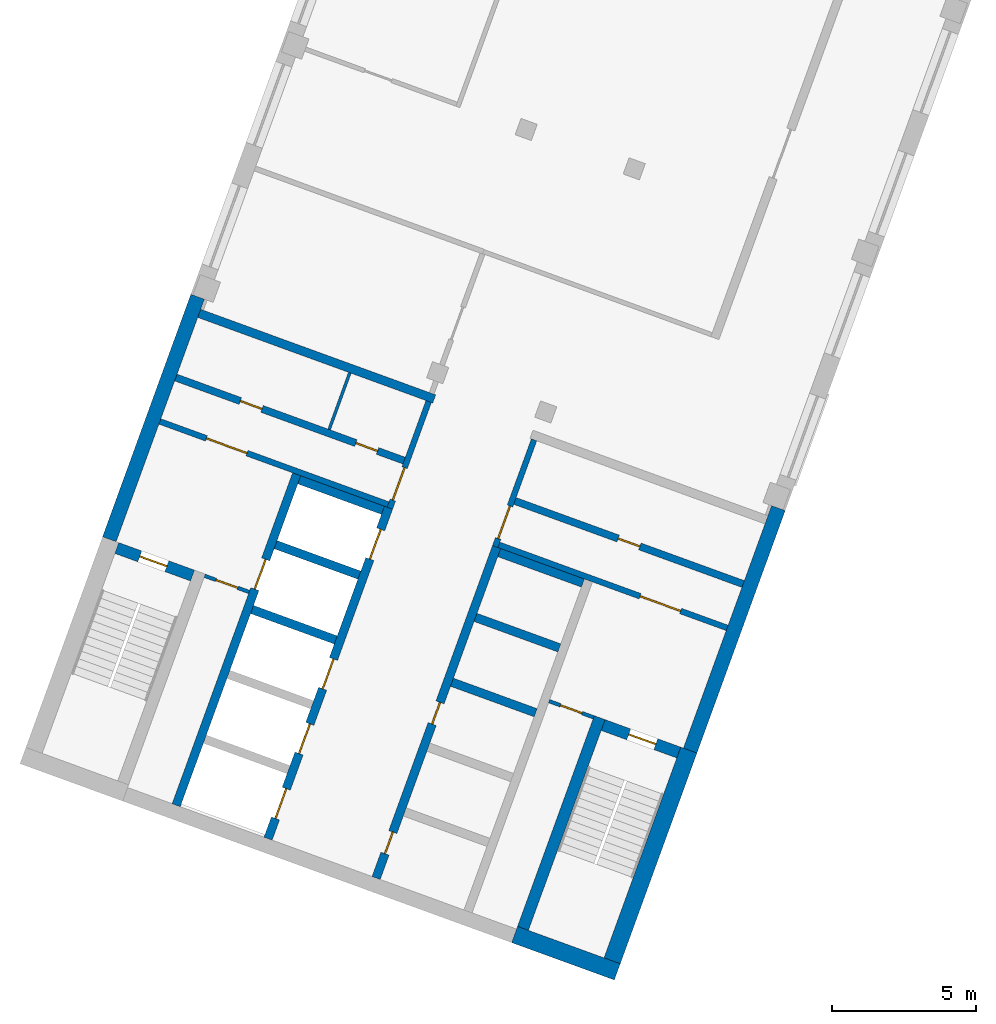
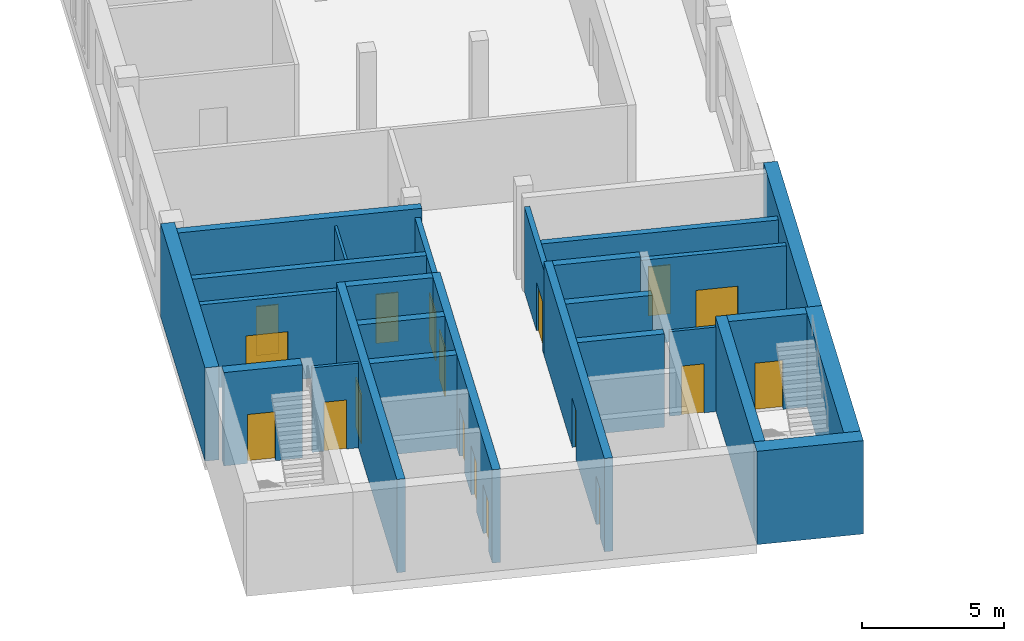
# One storey, part 2 of 8: 26 walls, 18 doors, 18 openings.
"""IFC4 building model written with IfcOpenShell, lengths in metres."""

from ifc_helpers import new_model, si_unit, direction, frame, frame_2d, origin, place, context, subcontext, project, spatial, rectangle, extrude, material, layer, layer_set, type_object, element, fill, save


model = new_model("IFC4")

# Units and contexts
model_context = context("Model", 3, precision=1e-05, world=origin(), true_north=direction((0.0, 1.0)))
body_context = subcontext(model_context, "Body", "Model", "MODEL_VIEW")
ifc_project = project(units=[si_unit("LENGTHUNIT", "METRE"), si_unit("AREAUNIT", "SQUARE_METRE"), si_unit("VOLUMEUNIT", "CUBIC_METRE"), si_unit("PLANEANGLEUNIT", "RADIAN"), si_unit("MASSUNIT", "GRAM", prefix="KILO")], contexts=[model_context])

# Site, building, storey
site_placement = place(None, origin())
site = spatial("IfcSite", under=ifc_project, at=site_placement, CompositionType="ELEMENT")
building_placement = place(site_placement, origin())
building = spatial("IfcBuilding", under=site, at=building_placement, Name="Skarvind Civic Tower", CompositionType="ELEMENT")
storey_placement = place(building_placement, frame((0.0, 0.0, 224.0)))
storey = spatial("IfcBuildingStorey", under=building, at=storey_placement, Name="L53", CompositionType="ELEMENT", Elevation=224.0)

# Wall, opening, door
ifc_material_1 = material(Name="Fire-rated masonry partition", Category="masonry")
ifc_layer_1 = layer(ifc_material_1, 0.199951171875)
ifc_layer_set_1 = layer_set([ifc_layer_1], Name="Core enclosure wall 200")
wall_type_1 = type_object("IfcWallType", Name="Core enclosure wall 200", PredefinedType="PARTITIONING", material=ifc_layer_set_1)
wall_1_placement = place(storey_placement, frame((31.42724609375, 93.663330078125, 0.0), z_axis=(0.0, 0.0, 1.0), x_axis=(0.342030870568, 0.93968871632, 0.0)))
wall_1 = element("IfcWall", 1, at=wall_1_placement, inside=storey, type_object=wall_type_1, Name="Core wall C2", PredefinedType="PARTITIONING", context=body_context, shape_type="SweptSolid", body=[
    extrude(rectangle(XDim=3.9501953125, YDim=0.199951171875, at=frame_2d((1.97509765625, 0.0))), origin(), (0.0, 0.0, 1.0), 3.625),
])
opening_1_placement = place(wall_1_placement, frame((0.300048828125, 0.0, 0.0)))
opening_1 = element("IfcOpeningElement", 2, at=opening_1_placement, cuts=wall_1, Name="Opening D-L53-C2-07", PredefinedType="OPENING", context=body_context, shape_type="SweptSolid", body=[
    extrude(rectangle(XDim=1.199951171875, YDim=2.10009765625, at=frame_2d((0.60009765625, 1.050048828125))), frame((0.0, 0.10986328125, 0.0), z_axis=(0.0, -1.0, 0.0), x_axis=(1.0, 0.0, 0.0)), (0.0, 0.0, 1.0), 0.219970703125),
])
ifc_material_2 = material(Name="Fire-rated steel door", Category="steel")
door_type_1 = type_object("IfcDoorType", Name="Core lobby door 1200", OperationType="NOTDEFINED", PredefinedType="DOOR", material=ifc_material_2)
door_1_placement = place(opening_1_placement, origin())
door_1 = element("IfcDoor", 3, at=door_1_placement, inside=storey, type_object=door_type_1, Name="Fire door", OperationType="DOUBLE_DOOR_SINGLE_SWING", OverallHeight=2.10009765625, OverallWidth=1.199951171875, PredefinedType="DOOR", context=body_context, shape_type="SweptSolid", body=[
    extrude(rectangle(XDim=1.199951171875, YDim=2.10009765625, at=frame_2d((0.60009765625, 1.050048828125))), frame((0.0, 0.02490234375, 0.0), z_axis=(0.0, -1.0, 0.0), x_axis=(1.0, 0.0, 0.0)), (0.0, 0.0, 1.0), 0.050048828125),
])
fill(opening_1, door_1)

wall_2_placement = place(storey_placement, frame((23.42724609375, 96.681640625, 0.0), z_axis=(0.0, 0.0, 1.0), x_axis=(0.939690465531, -0.342026064782, 0.0)))
wall_2 = element("IfcWall", 4, at=wall_2_placement, inside=storey, type_object=wall_type_1, Name="Core wall C2", PredefinedType="PARTITIONING", context=body_context, shape_type="SweptSolid", body=[
    extrude(rectangle(XDim=8.449951171875, YDim=0.199951171875, at=frame_2d((4.22509765625, 0.0))), origin(), (0.0, 0.0, 1.0), 3.625),
])
opening_2_placement = place(wall_2_placement, frame((1.72509765625, 0.0, 0.0)))
opening_2 = element("IfcOpeningElement", 5, at=opening_2_placement, cuts=wall_2, Name="Opening D-L53-C2-08", PredefinedType="OPENING", context=body_context, shape_type="SweptSolid", body=[
    extrude(rectangle(XDim=1.5, YDim=2.10009765625, at=frame_2d((0.75, 1.050048828125))), frame((0.0, 0.10986328125, 0.0), z_axis=(0.0, -1.0, 0.0), x_axis=(1.0, 0.0, 0.0)), (0.0, 0.0, 1.0), 0.219970703125),
])
door_type_2 = type_object("IfcDoorType", Name="Fire door 1500", OperationType="NOTDEFINED", PredefinedType="DOOR", material=ifc_material_2)
door_2_placement = place(opening_2_placement, origin())
door_2 = element("IfcDoor", 6, at=door_2_placement, inside=storey, type_object=door_type_2, Name="Fire door", OperationType="DOUBLE_DOOR_SINGLE_SWING", OverallHeight=2.10009765625, OverallWidth=1.5, PredefinedType="DOOR", context=body_context, shape_type="SweptSolid", body=[
    extrude(rectangle(XDim=1.5, YDim=2.10009765625, at=frame_2d((0.75, 1.050048828125))), frame((0.0, 0.02490234375, 0.0), z_axis=(0.0, -1.0, 0.0), x_axis=(1.0, 0.0, 0.0)), (0.0, 0.0, 1.0), 0.050048828125),
])
fill(opening_2, door_2)

wall_3_placement = place(storey_placement, frame((36.443115234375, 96.041259765625, 0.0), z_axis=(0.0, 0.0, 1.0), x_axis=(-0.341996156931, -0.939701350773, 0.0)))
wall_3 = element("IfcWall", 7, at=wall_3_placement, inside=storey, type_object=wall_type_1, Name="Core wall C2", PredefinedType="PARTITIONING", context=body_context, shape_type="SweptSolid", body=[
    extrude(rectangle(XDim=3.949951171875, YDim=0.199951171875, at=frame_2d((1.97509765625, 0.0))), origin(), (0.0, 0.0, 1.0), 3.625),
])
opening_3_placement = place(wall_3_placement, frame((2.449951171875, 0.0, 0.0)))
opening_3 = element("IfcOpeningElement", 8, at=opening_3_placement, cuts=wall_3, Name="Opening D-L53-C2-13", PredefinedType="OPENING", context=body_context, shape_type="SweptSolid", body=[
    extrude(rectangle(XDim=1.199951171875, YDim=2.10009765625, at=frame_2d((0.60009765625, 1.050048828125))), frame((0.0, 0.10986328125, 0.0), z_axis=(0.0, -1.0, 0.0), x_axis=(1.0, 0.0, 0.0)), (0.0, 0.0, 1.0), 0.219970703125),
])
door_3_placement = place(opening_3_placement, origin())
door_3 = element("IfcDoor", 9, at=door_3_placement, inside=storey, type_object=door_type_1, Name="Fire door", OperationType="DOUBLE_DOOR_SINGLE_SWING", OverallHeight=2.10009765625, OverallWidth=1.199951171875, PredefinedType="DOOR", context=body_context, shape_type="SweptSolid", body=[
    extrude(rectangle(XDim=1.199951171875, YDim=2.10009765625, at=frame_2d((0.60009765625, 1.050048828125))), frame((0.0, 0.02490234375, 0.0), z_axis=(0.0, -1.0, 0.0), x_axis=(1.0, 0.0, 0.0)), (0.0, 0.0, 1.0), 0.050048828125),
])
fill(opening_3, door_3)

wall_4_placement = place(storey_placement, frame((35.22021484375, 92.389404296875, 0.0), z_axis=(0.0, 0.0, 1.0), x_axis=(0.939690465531, -0.342026064782, 0.0)))
wall_4 = element("IfcWall", 10, at=wall_4_placement, inside=storey, type_object=wall_type_1, Name="Core wall C2", PredefinedType="PARTITIONING", context=body_context, shape_type="SweptSolid", body=[
    extrude(rectangle(XDim=8.449951171875, YDim=0.199951171875, at=frame_2d((4.22509765625, 0.0))), origin(), (0.0, 0.0, 1.0), 3.625),
])
opening_4_placement = place(wall_4_placement, frame((5.22509765625, 0.0, 0.0)))
opening_4 = element("IfcOpeningElement", 11, at=opening_4_placement, cuts=wall_4, Name="Opening D-L53-C2-14", PredefinedType="OPENING", context=body_context, shape_type="SweptSolid", body=[
    extrude(rectangle(XDim=1.5, YDim=2.10009765625, at=frame_2d((0.75, 1.050048828125))), frame((0.0, 0.10986328125, 0.0), z_axis=(0.0, -1.0, 0.0), x_axis=(1.0, 0.0, 0.0)), (0.0, 0.0, 1.0), 0.219970703125),
])
door_4_placement = place(opening_4_placement, origin())
door_4 = element("IfcDoor", 12, at=door_4_placement, inside=storey, type_object=door_type_2, Name="Fire door", OperationType="DOUBLE_DOOR_SINGLE_SWING", OverallHeight=2.10009765625, OverallWidth=1.5, PredefinedType="DOOR", context=body_context, shape_type="SweptSolid", body=[
    extrude(rectangle(XDim=1.5, YDim=2.10009765625, at=frame_2d((0.75, 1.050048828125))), frame((0.0, 0.02490234375, 0.0), z_axis=(0.0, -1.0, 0.0), x_axis=(1.0, 0.0, 0.0)), (0.0, 0.0, 1.0), 0.050048828125),
])
fill(opening_4, door_4)

# Wall
ifc_material_3 = material(Name="Fire-rated plasterboard partition")
ifc_layer_2 = layer(ifc_material_3, 0.10009765625)
ifc_layer_set_2 = layer_set([ifc_layer_2], Name="Core partition wall 100")
wall_type_2 = type_object("IfcWallType", Name="Core partition wall 100", PredefinedType="PARTITIONING", material=ifc_layer_set_2)
wall_5_placement = place(storey_placement, frame((29.316162109375, 96.400390625, 0.0), z_axis=(0.0, 0.0, 1.0), x_axis=(0.342023078919, 0.939691552312, 0.0)))
element("IfcWall", 13, at=wall_5_placement, inside=storey, type_object=wall_type_2, Name="Core wall C2", PredefinedType="PARTITIONING", context=body_context, shape_type="SweptSolid", body=[
    extrude(rectangle(XDim=2.10009765625, YDim=0.10009765625, at=frame_2d((1.050048828125, 0.0))), origin(), (0.0, 0.0, 1.0), 3.625),
])

# Wall, openings, doors
ifc_material_4 = material(Name="Concrete C60", Category="concrete")
ifc_layer_3 = layer(ifc_material_4, 0.300048828125)
ifc_layer_set_3 = layer_set([ifc_layer_3], Name="Core wall 300 C60")
wall_type_3 = type_object("IfcWallType", Name="Core wall 300 C60", PredefinedType="SHEAR", material=ifc_layer_set_3)
wall_6_placement = place(storey_placement, frame((30.949462890625, 80.80126953125, 0.0), z_axis=(0.0, 0.0, 1.0), x_axis=(0.342016684409, 0.939693879721, 0.0)))
wall_6 = element("IfcWall", 14, at=wall_6_placement, inside=storey, type_object=wall_type_3, Name="Core wall C2 south lift row front L53", PredefinedType="SHEAR", context=body_context, shape_type="SweptSolid", body=[
    extrude(rectangle(XDim=12.25, YDim=0.300048828125, at=frame_2d((6.125, 0.0))), origin(), (0.0, 0.0, 1.0), 4.0),
])
opening_5_placement = place(wall_6_placement, frame((0.89990234375, 0.0, 0.0)))
opening_5 = element("IfcOpeningElement", 15, at=opening_5_placement, cuts=wall_6, Name="Opening D-L53-C2-05", PredefinedType="OPENING", context=body_context, shape_type="SweptSolid", body=[
    extrude(rectangle(XDim=0.800048828125, YDim=2.10009765625, at=frame_2d((0.39990234375, 1.050048828125))), frame((0.0, 0.159912109375, 0.0), z_axis=(0.0, -1.0, 0.0), x_axis=(1.0, 0.0, 0.0)), (0.0, 0.0, 1.0), 0.320068359375),
])
opening_6_placement = place(wall_6_placement, frame((5.699951171875, 0.0, 0.0)))
opening_6 = element("IfcOpeningElement", 16, at=opening_6_placement, cuts=wall_6, Name="Opening D-L53-C2-06", PredefinedType="OPENING", context=body_context, shape_type="SweptSolid", body=[
    extrude(rectangle(XDim=0.800048828125, YDim=2.10009765625, at=frame_2d((0.39990234375, 1.050048828125))), frame((0.0, 0.159912109375, 0.0), z_axis=(0.0, -1.0, 0.0), x_axis=(1.0, 0.0, 0.0)), (0.0, 0.0, 1.0), 0.320068359375),
])
door_type_3 = type_object("IfcDoorType", Name="Core riser door 800", OperationType="NOTDEFINED", PredefinedType="DOOR", material=ifc_material_2)
door_5_placement = place(opening_5_placement, origin())
door_5 = element("IfcDoor", 17, at=door_5_placement, inside=storey, type_object=door_type_3, Name="Riser door", OperationType="SINGLE_SWING_LEFT", OverallHeight=2.10009765625, OverallWidth=0.800048828125, PredefinedType="DOOR", context=body_context, shape_type="SweptSolid", body=[
    extrude(rectangle(XDim=0.800048828125, YDim=2.10009765625, at=frame_2d((0.39990234375, 1.050048828125))), frame((0.0, 0.02490234375, 0.0), z_axis=(0.0, -1.0, 0.0), x_axis=(1.0, 0.0, 0.0)), (0.0, 0.0, 1.0), 0.050048828125),
])
fill(opening_5, door_5)
door_6_placement = place(opening_6_placement, origin())
door_6 = element("IfcDoor", 18, at=door_6_placement, inside=storey, type_object=door_type_3, Name="Riser door", OperationType="SINGLE_SWING_RIGHT", OverallHeight=2.10009765625, OverallWidth=0.800048828125, PredefinedType="DOOR", context=body_context, shape_type="SweptSolid", body=[
    extrude(rectangle(XDim=0.800048828125, YDim=2.10009765625, at=frame_2d((0.39990234375, 1.050048828125))), frame((0.0, 0.02490234375, 0.0), z_axis=(0.0, -1.0, 0.0), x_axis=(1.0, 0.0, 0.0)), (0.0, 0.0, 1.0), 0.050048828125),
])
fill(opening_6, door_6)

# Walls
for number, where, z_axis, x_axis, name in (
    (19, (36.500244140625, 86.54931640625, 0.0), (0.0, 0.0, 1.0), (-0.939689908313, 0.342027595692, 0.0), "Core wall C2 south lift row division 3 L53"),
    (20, (37.321044921875, 88.8046875, 0.0), (0.0, 0.0, 1.0), (-0.939689908313, 0.342027595692, 0.0), "Core wall C2 south lift row division 4 L53"),
    (21, (38.141845703125, 91.059814453125, 0.0), (0.0, 0.0, 1.0), (-0.939689908313, 0.342027595692, 0.0), "Core wall C2 south lift row division 5 L53"),
):
    element("IfcWall", number, at=place(storey_placement, frame(where, z_axis=z_axis, x_axis=x_axis)), inside=storey, type_object=wall_type_3, Name=name, PredefinedType="SHEAR", context=body_context, shape_type="SweptSolid", body=[
        extrude(rectangle(XDim=3.10009765625, YDim=0.300048828125, at=frame_2d((1.550048828125, 0.0))), origin(), (0.0, 0.0, 1.0), 4.0),
    ])

# Wall, openings, doors
wall_7_placement = place(storey_placement, frame((27.190673828125, 82.169189453125, 0.0), z_axis=(0.0, 0.0, 1.0), x_axis=(0.342016684409, 0.939693879721, 0.0)))
wall_7 = element("IfcWall", 22, at=wall_7_placement, inside=storey, type_object=wall_type_3, Name="Core wall C2 north lift row front L53", PredefinedType="SHEAR", context=body_context, shape_type="SweptSolid", body=[
    extrude(rectangle(XDim=12.25, YDim=0.300048828125, at=frame_2d((6.125, 0.0))), origin(), (0.0, 0.0, 1.0), 4.0),
])
opening_7_placement = place(wall_7_placement, frame((0.75, 0.0, 0.0)))
opening_7 = element("IfcOpeningElement", 23, at=opening_7_placement, cuts=wall_7, Name="Opening LD55201", PredefinedType="OPENING", context=body_context, shape_type="SweptSolid", body=[
    extrude(rectangle(XDim=1.10009765625, YDim=2.10009765625, at=frame_2d((0.550048828125, 1.050048828125))), frame((0.0, 0.159912109375, 0.0), z_axis=(0.0, -1.0, 0.0), x_axis=(1.0, 0.0, 0.0)), (0.0, 0.0, 1.0), 0.320068359375),
])
opening_8_placement = place(wall_7_placement, frame((3.14990234375, 0.0, 0.0)))
opening_8 = element("IfcOpeningElement", 24, at=opening_8_placement, cuts=wall_7, Name="Opening LD55202", PredefinedType="OPENING", context=body_context, shape_type="SweptSolid", body=[
    extrude(rectangle(XDim=1.10009765625, YDim=2.10009765625, at=frame_2d((0.550048828125, 1.050048828125))), frame((0.0, 0.159912109375, 0.0), z_axis=(0.0, -1.0, 0.0), x_axis=(1.0, 0.0, 0.0)), (0.0, 0.0, 1.0), 0.320068359375),
])
opening_9_placement = place(wall_7_placement, frame((5.550048828125, 0.0, 0.0)))
opening_9 = element("IfcOpeningElement", 25, at=opening_9_placement, cuts=wall_7, Name="Opening LD55203", PredefinedType="OPENING", context=body_context, shape_type="SweptSolid", body=[
    extrude(rectangle(XDim=1.10009765625, YDim=2.10009765625, at=frame_2d((0.550048828125, 1.050048828125))), frame((0.0, 0.159912109375, 0.0), z_axis=(0.0, -1.0, 0.0), x_axis=(1.0, 0.0, 0.0)), (0.0, 0.0, 1.0), 0.320068359375),
])
opening_10_placement = place(wall_7_placement, frame((10.35009765625, 0.0, 0.0)))
opening_10 = element("IfcOpeningElement", 26, at=opening_10_placement, cuts=wall_7, Name="Opening LD55205", PredefinedType="OPENING", context=body_context, shape_type="SweptSolid", body=[
    extrude(rectangle(XDim=1.10009765625, YDim=2.10009765625, at=frame_2d((0.550048828125, 1.050048828125))), frame((0.0, 0.159912109375, 0.0), z_axis=(0.0, -1.0, 0.0), x_axis=(1.0, 0.0, 0.0)), (0.0, 0.0, 1.0), 0.320068359375),
])
ifc_material_5 = material(Name="Stainless steel landing door", Category="steel")
door_type_4 = type_object("IfcDoorType", Name="Lift landing door 1100", OperationType="DOUBLE_DOOR_SLIDING", PredefinedType="DOOR", material=ifc_material_5)
door_7_placement = place(opening_7_placement, origin())
door_7 = element("IfcDoor", 27, at=door_7_placement, inside=storey, type_object=door_type_4, Name="Lift landing door", OperationType="DOUBLE_DOOR_SLIDING", OverallHeight=2.10009765625, OverallWidth=1.10009765625, PredefinedType="DOOR", context=body_context, shape_type="SweptSolid", body=[
    extrude(rectangle(XDim=1.10009765625, YDim=2.10009765625, at=frame_2d((0.550048828125, 1.050048828125))), frame((0.0, 0.02490234375, 0.0), z_axis=(0.0, -1.0, 0.0), x_axis=(1.0, 0.0, 0.0)), (0.0, 0.0, 1.0), 0.050048828125),
])
fill(opening_7, door_7)
door_8_placement = place(opening_8_placement, origin())
door_8 = element("IfcDoor", 28, at=door_8_placement, inside=storey, type_object=door_type_4, Name="Lift landing door", OperationType="DOUBLE_DOOR_SLIDING", OverallHeight=2.10009765625, OverallWidth=1.10009765625, PredefinedType="DOOR", context=body_context, shape_type="SweptSolid", body=[
    extrude(rectangle(XDim=1.10009765625, YDim=2.10009765625, at=frame_2d((0.550048828125, 1.050048828125))), frame((0.0, 0.02490234375, 0.0), z_axis=(0.0, -1.0, 0.0), x_axis=(1.0, 0.0, 0.0)), (0.0, 0.0, 1.0), 0.050048828125),
])
fill(opening_8, door_8)
door_9_placement = place(opening_9_placement, origin())
door_9 = element("IfcDoor", 29, at=door_9_placement, inside=storey, type_object=door_type_4, Name="Lift landing door", OperationType="DOUBLE_DOOR_SLIDING", OverallHeight=2.10009765625, OverallWidth=1.10009765625, PredefinedType="DOOR", context=body_context, shape_type="SweptSolid", body=[
    extrude(rectangle(XDim=1.10009765625, YDim=2.10009765625, at=frame_2d((0.550048828125, 1.050048828125))), frame((0.0, 0.02490234375, 0.0), z_axis=(0.0, -1.0, 0.0), x_axis=(1.0, 0.0, 0.0)), (0.0, 0.0, 1.0), 0.050048828125),
])
fill(opening_9, door_9)
door_10_placement = place(opening_10_placement, origin())
door_10 = element("IfcDoor", 30, at=door_10_placement, inside=storey, type_object=door_type_4, Name="Lift landing door", OperationType="DOUBLE_DOOR_SLIDING", OverallHeight=2.10009765625, OverallWidth=1.10009765625, PredefinedType="DOOR", context=body_context, shape_type="SweptSolid", body=[
    extrude(rectangle(XDim=1.10009765625, YDim=2.10009765625, at=frame_2d((0.550048828125, 1.050048828125))), frame((0.0, 0.02490234375, 0.0), z_axis=(0.0, -1.0, 0.0), x_axis=(1.0, 0.0, 0.0)), (0.0, 0.0, 1.0), 0.050048828125),
])
fill(opening_10, door_10)

# Wall, opening, door
wall_8_placement = place(storey_placement, frame((23.99560546875, 83.33203125, 0.0), z_axis=(0.0, 0.0, 1.0), x_axis=(0.342016684409, 0.939693879721, 0.0)))
wall_8 = element("IfcWall", 31, at=wall_8_placement, inside=storey, type_object=wall_type_3, Name="Core wall C2 north lift row back L53", PredefinedType="SHEAR", context=body_context, shape_type="SweptSolid", body=[
    extrude(rectangle(XDim=12.25, YDim=0.300048828125, at=frame_2d((6.125, 0.0))), origin(), (0.0, 0.0, 1.0), 4.0),
])
opening_11_placement = place(wall_8_placement, frame((8.0, 0.0, 0.0)))
opening_11 = element("IfcOpeningElement", 32, at=opening_11_placement, cuts=wall_8, Name="Opening LD55204", PredefinedType="OPENING", context=body_context, shape_type="SweptSolid", body=[
    extrude(rectangle(XDim=1.10009765625, YDim=2.10009765625, at=frame_2d((0.550048828125, 1.050048828125))), frame((0.0, 0.159912109375, 0.0), z_axis=(0.0, -1.0, 0.0), x_axis=(1.0, 0.0, 0.0)), (0.0, 0.0, 1.0), 0.320068359375),
])
door_11_placement = place(opening_11_placement, origin())
door_11 = element("IfcDoor", 33, at=door_11_placement, inside=storey, type_object=door_type_4, Name="Lift landing door", OperationType="DOUBLE_DOOR_SLIDING", OverallHeight=2.10009765625, OverallWidth=1.10009765625, PredefinedType="DOOR", context=body_context, shape_type="SweptSolid", body=[
    extrude(rectangle(XDim=1.10009765625, YDim=2.10009765625, at=frame_2d((0.550048828125, 1.050048828125))), frame((0.0, 0.02490234375, 0.0), z_axis=(0.0, -1.0, 0.0), x_axis=(1.0, 0.0, 0.0)), (0.0, 0.0, 1.0), 0.050048828125),
])
fill(opening_11, door_11)

# Walls
wall_9_placement = place(storey_placement, frame((29.54638671875, 89.080322265625, 0.0), z_axis=(0.0, 0.0, 1.0), x_axis=(-0.939689908313, 0.342027595692, 0.0)))
element("IfcWall", 34, at=wall_9_placement, inside=storey, type_object=wall_type_3, Name="Core wall C2 north lift row division 3 L53", PredefinedType="SHEAR", context=body_context, shape_type="SweptSolid", body=[
    extrude(rectangle(XDim=3.10009765625, YDim=0.300048828125, at=frame_2d((1.550048828125, 0.0))), origin(), (0.0, 0.0, 1.0), 4.0),
])
for number, where, z_axis, x_axis, name in (
    (35, (30.3671875, 91.335693359375, 0.0), (0.0, 0.0, 1.0), (-0.939715217871, 0.341958051961, 0.0), "Core wall C2 north lift row division 4 L53"),
    (36, (31.18798828125, 93.5908203125, 0.0), (0.0, 0.0, 1.0), (-0.939680694448, 0.342052908892, 0.0), "Core wall C2 north lift row division 5 L53"),
):
    element("IfcWall", number, at=place(storey_placement, frame(where, z_axis=z_axis, x_axis=x_axis)), inside=storey, type_object=wall_type_3, Name=name, PredefinedType="SHEAR", context=body_context, shape_type="SweptSolid", body=[
        extrude(rectangle(XDim=3.099853515625, YDim=0.300048828125, at=frame_2d((1.5498046875, 0.0))), origin(), (0.0, 0.0, 1.0), 4.0),
    ])
wall_10_placement = place(storey_placement, frame((32.970703125, 97.46484375, 0.0), z_axis=(0.0, 0.0, 1.0), x_axis=(-0.939695066972, 0.34201342241, 0.0)))
element("IfcWall", 37, at=wall_10_placement, inside=storey, type_object=wall_type_3, Name="Core wall C2 north inner face L53", PredefinedType="SHEAR", context=body_context, shape_type="SweptSolid", body=[
    extrude(rectangle(XDim=8.7001953125, YDim=0.300048828125, at=frame_2d((4.35009765625, 0.0))), origin(), (0.0, 0.0, 1.0), 4.0),
])
ifc_layer_4 = layer(ifc_material_4, 0.39990234375)
ifc_layer_set_4 = layer_set([ifc_layer_4], Name="Core wall 400 C60")
wall_type_4 = type_object("IfcWallType", Name="Core wall 400 C60", PredefinedType="SHEAR", material=ifc_layer_set_4)
wall_11_placement = place(storey_placement, frame((36.057861328125, 79.04833984375, 0.0), z_axis=(0.0, 0.0, 1.0), x_axis=(0.342016982193, 0.939693771338, 0.0)))
element("IfcWall", 38, at=wall_11_placement, inside=storey, type_object=wall_type_4, Name="Core wall C2 south stair inner L53", PredefinedType="SHEAR", context=body_context, shape_type="SweptSolid", body=[
    extrude(rectangle(XDim=7.800048828125, YDim=0.39990234375, at=frame_2d((3.89990234375, 0.0))), origin(), (0.0, 0.0, 1.0), 4.0),
])

# Wall, opening, door
wall_12_placement = place(storey_placement, frame((41.476318359375, 85.163818359375, 0.0), z_axis=(0.0, 0.0, 1.0), x_axis=(-0.939678810556, 0.342058084236, 0.0)))
wall_12 = element("IfcWall", 39, at=wall_12_placement, inside=storey, type_object=wall_type_4, Name="Core wall C2 south stair end L53", PredefinedType="SHEAR", context=body_context, shape_type="SweptSolid", body=[
    extrude(rectangle(XDim=2.800048828125, YDim=0.39990234375, at=frame_2d((1.39990234375, 0.0))), origin(), (0.0, 0.0, 1.0), 4.0),
])
opening_12_placement = place(wall_12_placement, frame((0.85009765625, 0.0, 0.0)))
opening_12 = element("IfcOpeningElement", 40, at=opening_12_placement, cuts=wall_12, Name="Opening D-L53-C2-15", PredefinedType="OPENING", context=body_context, shape_type="SweptSolid", body=[
    extrude(rectangle(XDim=1.0, YDim=2.10009765625, at=frame_2d((0.5, 1.050048828125))), frame((0.0, 0.2099609375, 0.0), z_axis=(0.0, -1.0, 0.0), x_axis=(1.0, 0.0, 0.0)), (0.0, 0.0, 1.0), 0.419921875),
])
door_type_5 = type_object("IfcDoorType", Name="Fire door 1000", OperationType="NOTDEFINED", PredefinedType="DOOR", material=ifc_material_2)
door_12_placement = place(opening_12_placement, origin())
door_12 = element("IfcDoor", 41, at=door_12_placement, inside=storey, type_object=door_type_5, Name="Fire door", OperationType="SINGLE_SWING_RIGHT", OverallHeight=2.10009765625, OverallWidth=1.0, PredefinedType="DOOR", context=body_context, shape_type="SweptSolid", body=[
    extrude(rectangle(XDim=1.0, YDim=2.10009765625, at=frame_2d((0.5, 1.050048828125))), frame((0.0, 0.02490234375, 0.0), z_axis=(0.0, -1.0, 0.0), x_axis=(1.0, 0.0, 0.0)), (0.0, 0.0, 1.0), 0.050048828125),
])
fill(opening_12, door_12)

wall_13_placement = place(storey_placement, frame((24.56201171875, 91.3203125, 0.0), z_axis=(0.0, 0.0, 1.0), x_axis=(-0.939717030584, 0.341953070509, 0.0)))
wall_13 = element("IfcWall", 42, at=wall_13_placement, inside=storey, type_object=wall_type_4, Name="Core wall C2 north stair end L53", PredefinedType="SHEAR", context=body_context, shape_type="SweptSolid", body=[
    extrude(rectangle(XDim=2.800048828125, YDim=0.39990234375, at=frame_2d((1.39990234375, 0.0))), origin(), (0.0, 0.0, 1.0), 4.0),
])
opening_13_placement = place(wall_13_placement, frame((0.949951171875, 0.0, 0.0)))
opening_13 = element("IfcOpeningElement", 43, at=opening_13_placement, cuts=wall_13, Name="Opening D-L53-C2-09", PredefinedType="OPENING", context=body_context, shape_type="SweptSolid", body=[
    extrude(rectangle(XDim=1.0, YDim=2.10009765625, at=frame_2d((0.5, 1.050048828125))), frame((0.0, 0.2099609375, 0.0), z_axis=(0.0, -1.0, 0.0), x_axis=(1.0, 0.0, 0.0)), (0.0, 0.0, 1.0), 0.419921875),
])
door_13_placement = place(opening_13_placement, origin())
door_13 = element("IfcDoor", 44, at=door_13_placement, inside=storey, type_object=door_type_5, Name="Fire door", OperationType="SINGLE_SWING_LEFT", OverallHeight=2.10009765625, OverallWidth=1.0, PredefinedType="DOOR", context=body_context, shape_type="SweptSolid", body=[
    extrude(rectangle(XDim=1.0, YDim=2.10009765625, at=frame_2d((0.5, 1.050048828125))), frame((0.0, 0.02490234375, 0.0), z_axis=(0.0, -1.0, 0.0), x_axis=(1.0, 0.0, 0.0)), (0.0, 0.0, 1.0), 0.050048828125),
])
fill(opening_13, door_13)

# Walls
ifc_layer_5 = layer(ifc_material_4, 0.5)
ifc_layer_set_5 = layer_set([ifc_layer_5], Name="Core wall 500 C60")
wall_type_5 = type_object("IfcWallType", Name="Core wall 500 C60", PredefinedType="SHEAR", material=ifc_layer_set_5)
wall_14_placement = place(storey_placement, frame((41.873779296875, 85.232177734375, 0.0), z_axis=(0.0, 0.0, 1.0), x_axis=(0.342020437038, 0.939692513883, 0.0)))
element("IfcWall", 45, at=wall_14_placement, inside=storey, type_object=wall_type_5, Name="Core wall C2 south side L53", PredefinedType="SHEAR", context=body_context, shape_type="SweptSolid", body=[
    extrude(rectangle(XDim=8.974853515625, YDim=0.5, at=frame_2d((4.4873046875, 0.0))), origin(), (0.0, 0.0, 1.0), 4.0),
])
wall_15_placement = place(storey_placement, frame((21.670166015625, 92.58544921875, 0.0), z_axis=(0.0, 0.0, 1.0), x_axis=(0.342035714298, 0.93968695327, 0.0)))
element("IfcWall", 46, at=wall_15_placement, inside=storey, type_object=wall_type_5, Name="Core wall C2 north side L53", PredefinedType="SHEAR", context=body_context, shape_type="SweptSolid", body=[
    extrude(rectangle(XDim=8.97509765625, YDim=0.5, at=frame_2d((4.487548828125, 0.0))), origin(), (0.0, 0.0, 1.0), 4.0),
])
ifc_layer_6 = layer(ifc_material_4, 0.60009765625)
ifc_layer_set_6 = layer_set([ifc_layer_6], Name="Core wall 600 C60")
wall_type_6 = type_object("IfcWallType", Name="Core wall 600 C60", PredefinedType="SHEAR", material=ifc_layer_set_6)
wall_16_placement = place(storey_placement, frame((39.338134765625, 77.53515625, 0.0), z_axis=(0.0, 0.0, 1.0), x_axis=(-0.939701471648, 0.341995824804, 0.0)))
element("IfcWall", 47, at=wall_16_placement, inside=storey, type_object=wall_type_6, Name="Core wall C2 tip at the south stair L53", PredefinedType="SHEAR", context=body_context, shape_type="SweptSolid", body=[
    extrude(rectangle(XDim=3.800048828125, YDim=0.60009765625, at=frame_2d((1.89990234375, 0.0))), origin(), (0.0, 0.0, 1.0), 4.0),
])
wall_17_placement = place(storey_placement, frame((39.158935546875, 77.919677734375, 0.0), z_axis=(0.0, 0.0, 1.0), x_axis=(0.342016982193, 0.939693771338, 0.0)))
element("IfcWall", 48, at=wall_17_placement, inside=storey, type_object=wall_type_6, Name="Core wall C2 south side at the stair L53", PredefinedType="SHEAR", context=body_context, shape_type="SweptSolid", body=[
    extrude(rectangle(XDim=7.800048828125, YDim=0.60009765625, at=frame_2d((3.89990234375, 0.0))), origin(), (0.0, 0.0, 1.0), 4.0),
])

# Wall, opening, door
ifc_layer_7 = layer(ifc_material_1, 0.125)
ifc_layer_set_7 = layer_set([ifc_layer_7], Name="Riser wall 125")
wall_type_7 = type_object("IfcWallType", Name="Riser wall 125", PredefinedType="PARTITIONING", material=ifc_layer_set_7)
wall_18_placement = place(storey_placement, frame((24.98486328125, 91.3125, 0.0), z_axis=(0.0, 0.0, 1.0), x_axis=(0.939719959755, -0.341945020783, 0.0)))
wall_18 = element("IfcWall", 49, at=wall_18_placement, inside=storey, type_object=wall_type_7, Name="Core wall C2", PredefinedType="PARTITIONING", context=body_context, shape_type="SweptSolid", body=[
    extrude(rectangle(XDim=1.64990234375, YDim=0.125, at=frame_2d((0.824951171875, 0.0))), origin(), (0.0, 0.0, 1.0), 3.625),
])
opening_14_placement = place(wall_18_placement, frame((0.425048828125, 0.0, 0.0)))
opening_14 = element("IfcOpeningElement", 50, at=opening_14_placement, cuts=wall_18, Name="Opening D-L53-C2-10", PredefinedType="OPENING", context=body_context, shape_type="SweptSolid", body=[
    extrude(rectangle(XDim=0.800048828125, YDim=2.10009765625, at=frame_2d((0.39990234375, 1.050048828125))), frame((0.0, 0.072509765625, 0.0), z_axis=(0.0, -1.0, 0.0), x_axis=(1.0, 0.0, 0.0)), (0.0, 0.0, 1.0), 0.14501953125),
])
door_14_placement = place(opening_14_placement, origin())
door_14 = element("IfcDoor", 51, at=door_14_placement, inside=storey, type_object=door_type_3, Name="Riser door", OperationType="SINGLE_SWING_RIGHT", OverallHeight=2.10009765625, OverallWidth=0.800048828125, PredefinedType="DOOR", context=body_context, shape_type="SweptSolid", body=[
    extrude(rectangle(XDim=0.800048828125, YDim=2.10009765625, at=frame_2d((0.39990234375, 1.050048828125))), frame((0.0, 0.02490234375, 0.0), z_axis=(0.0, -1.0, 0.0), x_axis=(1.0, 0.0, 0.0)), (0.0, 0.0, 1.0), 0.050048828125),
])
fill(opening_14, door_14)

wall_19_placement = place(storey_placement, frame((36.9658203125, 86.951904296875, 0.0), z_axis=(0.0, 0.0, 1.0), x_axis=(0.939672407396, -0.342075674051, 0.0)))
wall_19 = element("IfcWall", 52, at=wall_19_placement, inside=storey, type_object=wall_type_7, Name="Core wall C2", PredefinedType="PARTITIONING", context=body_context, shape_type="SweptSolid", body=[
    extrude(rectangle(XDim=1.650146484375, YDim=0.125, at=frame_2d((0.8251953125, 0.0))), origin(), (0.0, 0.0, 1.0), 3.625),
])
opening_15_placement = place(wall_19_placement, frame((0.425048828125, 0.0, 0.0)))
opening_15 = element("IfcOpeningElement", 53, at=opening_15_placement, cuts=wall_19, Name="Opening D-L53-C2-16", PredefinedType="OPENING", context=body_context, shape_type="SweptSolid", body=[
    extrude(rectangle(XDim=0.800048828125, YDim=2.10009765625, at=frame_2d((0.39990234375, 1.050048828125))), frame((0.0, 0.072509765625, 0.0), z_axis=(0.0, -1.0, 0.0), x_axis=(1.0, 0.0, 0.0)), (0.0, 0.0, 1.0), 0.14501953125),
])
door_15_placement = place(opening_15_placement, origin())
door_15 = element("IfcDoor", 54, at=door_15_placement, inside=storey, type_object=door_type_3, Name="Riser door", OperationType="SINGLE_SWING_LEFT", OverallHeight=2.10009765625, OverallWidth=0.800048828125, PredefinedType="DOOR", context=body_context, shape_type="SweptSolid", body=[
    extrude(rectangle(XDim=0.800048828125, YDim=2.10009765625, at=frame_2d((0.39990234375, 1.050048828125))), frame((0.0, 0.02490234375, 0.0), z_axis=(0.0, -1.0, 0.0), x_axis=(1.0, 0.0, 0.0)), (0.0, 0.0, 1.0), 0.050048828125),
])
fill(opening_15, door_15)

# Wall, openings, doors
ifc_layer_8 = layer(ifc_material_1, 0.25)
ifc_layer_set_8 = layer_set([ifc_layer_8], Name="Service block wall 250")
wall_type_8 = type_object("IfcWallType", Name="Service block wall 250", PredefinedType="PARTITIONING", material=ifc_layer_set_8)
wall_20_placement = place(storey_placement, frame((23.98291015625, 98.20849609375, 0.0), z_axis=(0.0, 0.0, 1.0), x_axis=(0.939699751196, -0.342000552051, 0.0)))
wall_20 = element("IfcWall", 55, at=wall_20_placement, inside=storey, type_object=wall_type_8, Name="Core wall C2", PredefinedType="PARTITIONING", context=body_context, shape_type="SweptSolid", body=[
    extrude(rectangle(XDim=8.449951171875, YDim=0.25, at=frame_2d((4.22509765625, 0.0))), origin(), (0.0, 0.0, 1.0), 3.625),
])
opening_16_placement = place(wall_20_placement, frame((6.6650390625, 0.0, 0.0)))
opening_16 = element("IfcOpeningElement", 56, at=opening_16_placement, cuts=wall_20, Name="Opening D-L53-C2-11", PredefinedType="OPENING", context=body_context, shape_type="SweptSolid", body=[
    extrude(rectangle(XDim=0.800048828125, YDim=2.10009765625, at=frame_2d((0.39990234375, 1.050048828125))), frame((0.0, 0.135009765625, 0.0), z_axis=(0.0, -1.0, 0.0), x_axis=(1.0, 0.0, 0.0)), (0.0, 0.0, 1.0), 0.27001953125),
])
opening_17_placement = place(wall_20_placement, frame((2.389892578125, 0.0, 0.0)))
opening_17 = element("IfcOpeningElement", 57, at=opening_17_placement, cuts=wall_20, Name="Opening D-L53-C2-12", PredefinedType="OPENING", context=body_context, shape_type="SweptSolid", body=[
    extrude(rectangle(XDim=0.800048828125, YDim=2.10009765625, at=frame_2d((0.39990234375, 1.050048828125))), frame((0.0, 0.135009765625, 0.0), z_axis=(0.0, -1.0, 0.0), x_axis=(1.0, 0.0, 0.0)), (0.0, 0.0, 1.0), 0.27001953125),
])
door_16_placement = place(opening_16_placement, origin())
door_16 = element("IfcDoor", 58, at=door_16_placement, inside=storey, type_object=door_type_3, Name="Riser door", OperationType="SINGLE_SWING_LEFT", OverallHeight=2.10009765625, OverallWidth=0.800048828125, PredefinedType="DOOR", context=body_context, shape_type="SweptSolid", body=[
    extrude(rectangle(XDim=0.800048828125, YDim=2.10009765625, at=frame_2d((0.39990234375, 1.050048828125))), frame((0.0, 0.02490234375, 0.0), z_axis=(0.0, -1.0, 0.0), x_axis=(1.0, 0.0, 0.0)), (0.0, 0.0, 1.0), 0.050048828125),
])
fill(opening_16, door_16)
door_17_placement = place(opening_17_placement, origin())
door_17 = element("IfcDoor", 59, at=door_17_placement, inside=storey, type_object=door_type_3, Name="Riser door", OperationType="SINGLE_SWING_RIGHT", OverallHeight=2.10009765625, OverallWidth=0.800048828125, PredefinedType="DOOR", context=body_context, shape_type="SweptSolid", body=[
    extrude(rectangle(XDim=0.800048828125, YDim=2.10009765625, at=frame_2d((0.39990234375, 1.050048828125))), frame((0.0, 0.02490234375, 0.0), z_axis=(0.0, -1.0, 0.0), x_axis=(1.0, 0.0, 0.0)), (0.0, 0.0, 1.0), 0.050048828125),
])
fill(opening_17, door_17)

# Wall, opening, door
wall_21_placement = place(storey_placement, frame((35.776123046875, 93.916259765625, 0.0), z_axis=(0.0, 0.0, 1.0), x_axis=(0.939690465531, -0.342026064782, 0.0)))
wall_21 = element("IfcWall", 60, at=wall_21_placement, inside=storey, type_object=wall_type_8, Name="Core wall C2", PredefinedType="PARTITIONING", context=body_context, shape_type="SweptSolid", body=[
    extrude(rectangle(XDim=8.449951171875, YDim=0.25, at=frame_2d((4.22509765625, 0.0))), origin(), (0.0, 0.0, 1.0), 3.625),
])
opening_18_placement = place(wall_21_placement, frame((3.824951171875, 0.0, 0.0)))
opening_18 = element("IfcOpeningElement", 61, at=opening_18_placement, cuts=wall_21, Name="Opening D-L53-C2-17", PredefinedType="OPENING", context=body_context, shape_type="SweptSolid", body=[
    extrude(rectangle(XDim=0.800048828125, YDim=2.10009765625, at=frame_2d((0.39990234375, 1.050048828125))), frame((0.0, 0.135009765625, 0.0), z_axis=(0.0, -1.0, 0.0), x_axis=(1.0, 0.0, 0.0)), (0.0, 0.0, 1.0), 0.27001953125),
])
door_18_placement = place(opening_18_placement, origin())
door_18 = element("IfcDoor", 62, at=door_18_placement, inside=storey, type_object=door_type_3, Name="Riser door", OperationType="SINGLE_SWING_RIGHT", OverallHeight=2.10009765625, OverallWidth=0.800048828125, PredefinedType="DOOR", context=body_context, shape_type="SweptSolid", body=[
    extrude(rectangle(XDim=0.800048828125, YDim=2.10009765625, at=frame_2d((0.39990234375, 1.050048828125))), frame((0.0, 0.02490234375, 0.0), z_axis=(0.0, -1.0, 0.0), x_axis=(1.0, 0.0, 0.0)), (0.0, 0.0, 1.0), 0.050048828125),
])
fill(opening_18, door_18)

save(model, "model.ifc")
